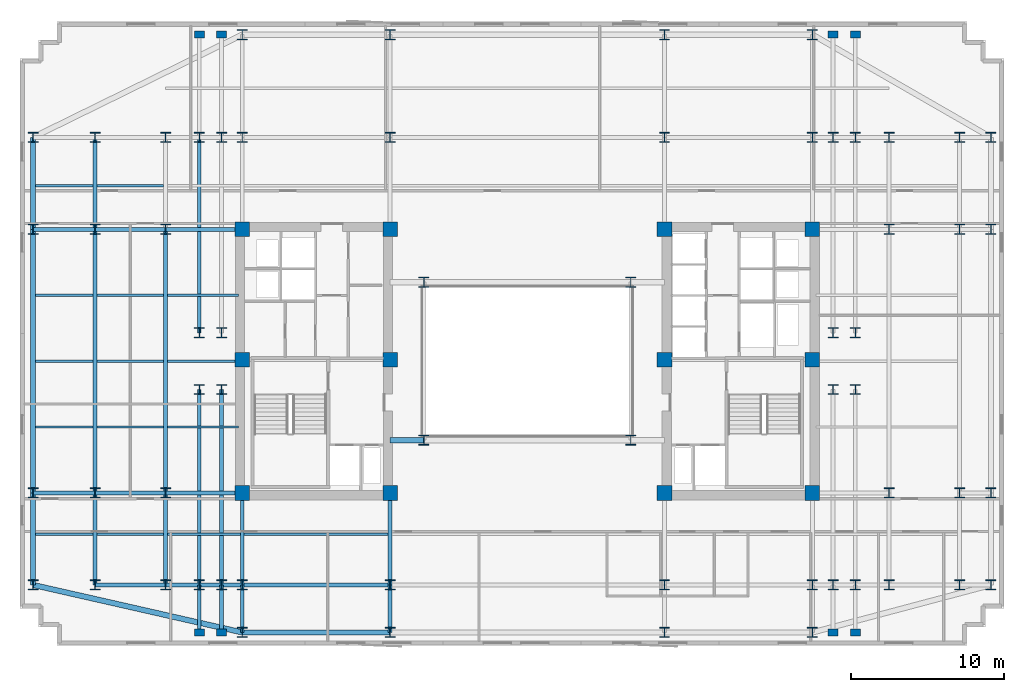
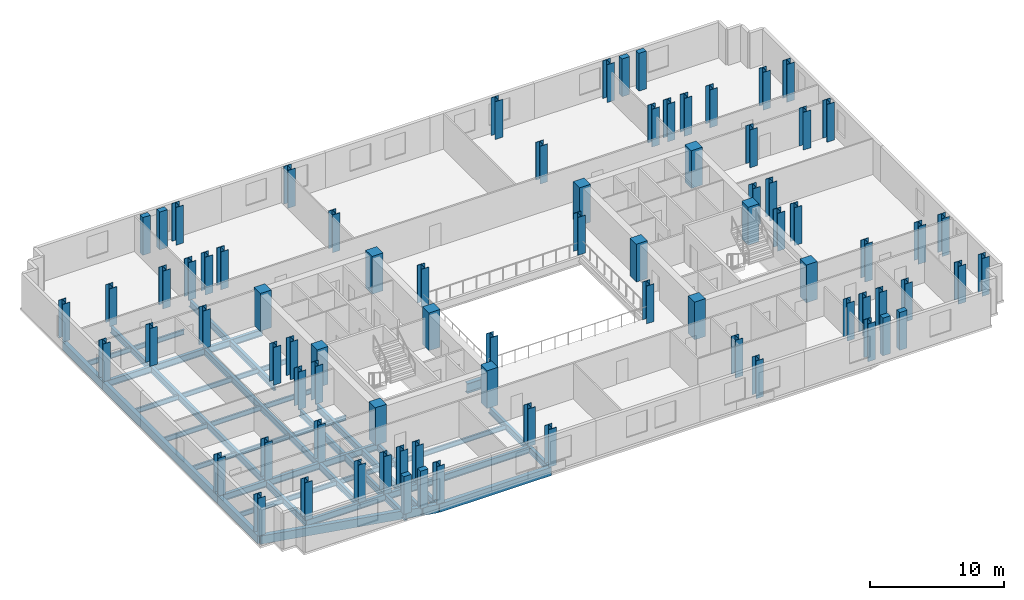
# One storey, part 1 of 9: 80 columns, 44 beams.
"""IFC4 building model written with IfcOpenShell, lengths in metres."""

from ifc_helpers import new_model, si_unit, direction, frame, origin, origin_2d, place, context, subcontext, project, spatial, rectangle, i_section, extrude, material, material_profile, profile_set, type_object, element, save


model = new_model("IFC4")

# Units and contexts
model_context = context("Model", 3, precision=1e-05, world=origin(), true_north=direction((0.0, 1.0)))
body_context = subcontext(model_context, "Body", "Model", "MODEL_VIEW")
ifc_project = project(units=[si_unit("LENGTHUNIT", "METRE"), si_unit("AREAUNIT", "SQUARE_METRE"), si_unit("VOLUMEUNIT", "CUBIC_METRE"), si_unit("PLANEANGLEUNIT", "RADIAN"), si_unit("MASSUNIT", "GRAM", prefix="KILO")], contexts=[model_context])

# Site, building, storey
site_placement = place(None, origin())
site = spatial("IfcSite", under=ifc_project, at=site_placement, CompositionType="ELEMENT")
building_placement = place(site_placement, origin())
building = spatial("IfcBuilding", under=site, at=building_placement, Name="Velakula Bourse", CompositionType="ELEMENT")
storey_placement = place(building_placement, frame((0.0, 0.0, 138.10009765625)))
storey = spatial("IfcBuildingStorey", under=building, at=storey_placement, Name="L37", CompositionType="ELEMENT", Elevation=138.10009765625)

# Columns
ifc_material_1 = material(Name="Concrete M70 (fck 70 MPa)", Category="concrete")
ifc_material_profile_1 = material_profile(ifc_material_1, rectangle(XDim=0.949951171875, YDim=0.949951171875, at=origin_2d()), Name="Concrete M70 (fck 70 MPa)")
ifc_profile_set_1 = profile_set([ifc_material_profile_1], Name="Concrete M70 (fck 70 MPa)")
column_type_1 = type_object("IfcColumnType", Name="COL-RC-950", PredefinedType="COLUMN", material=ifc_profile_set_1)
for number, where, z_axis, x_axis, name in (
    (1, (-8.949951171875, -8.60009765625, 0.0), (0.0, 0.0, 1.0), (1.0, 0.0, 0.0), "L37 Core Boundary Column 01"),
    (2, (-8.949951171875, 0.10009765625, 0.0), (0.0, 0.0, 1.0), (1.0, 0.0, 0.0), "L37 Core Boundary Column 02"),
    (3, (-8.949951171875, 8.60009765625, 0.0), (0.0, 0.0, 1.0), (1.0, 0.0, 0.0), "L37 Core Boundary Column 03"),
    (4, (-18.60009765625, -8.60009765625, 0.0), (0.0, 0.0, 1.0), (1.0, 0.0, 0.0), "L37 Core Boundary Column 04"),
    (5, (-18.60009765625, 0.10009765625, 0.0), (0.0, 0.0, 1.0), (1.0, 0.0, 0.0), "L37 Core Boundary Column 05"),
    (6, (-18.60009765625, 8.60009765625, 0.0), (0.0, 0.0, 1.0), (1.0, 0.0, 0.0), "L37 Core Boundary Column 06"),
    (7, (8.949951171875, -8.60009765625, 0.0), (0.0, 0.0, 1.0), (1.0, 0.0, 0.0), "L37 Core Boundary Column 07"),
    (8, (8.949951171875, 0.10009765625, 0.0), (0.0, 0.0, 1.0), (1.0, 0.0, 0.0), "L37 Core Boundary Column 08"),
    (9, (8.949951171875, 8.60009765625, 0.0), (0.0, 0.0, 1.0), (1.0, 0.0, 0.0), "L37 Core Boundary Column 09"),
    (10, (18.60009765625, -8.60009765625, 0.0), (0.0, 0.0, 1.0), (1.0, 0.0, 0.0), "L37 Core Boundary Column 10"),
    (11, (18.60009765625, 0.10009765625, 0.0), (0.0, 0.0, 1.0), (1.0, 0.0, 0.0), "L37 Core Boundary Column 11"),
    (12, (18.60009765625, 8.60009765625, 0.0), (0.0, 0.0, 1.0), (1.0, 0.0, 0.0), "L37 Core Boundary Column 12"),
):
    element("IfcColumn", number, at=place(storey_placement, frame(where, z_axis=z_axis, x_axis=x_axis)), inside=storey, type_object=column_type_1, Name=name, PredefinedType="COLUMN", context=body_context, shape_type="SweptSolid", body=[
        extrude(rectangle(XDim=0.949951171875, YDim=0.949951171875, at=origin_2d()), origin(), (0.0, 0.0, 1.0), 3.449951171875),
    ])
ifc_material_2 = material(Name="Steel IS 2062 Grade 350 (E350)", Category="steel")
ifc_material_profile_2 = material_profile(ifc_material_2, i_section(OverallWidth=0.64990234375, OverallDepth=0.64990234375, WebThickness=0.028076171875, FlangeThickness=0.0400390625, at=origin_2d()), Name="Steel IS 2062 Grade 350 (E350)")
ifc_profile_set_2 = profile_set([ifc_material_profile_2], Name="Steel IS 2062 Grade 350 (E350)")
column_type_2 = type_object("IfcColumnType", Name="COL-STL-650", PredefinedType="COLUMN", material=ifc_profile_set_2)
for number, where, z_axis, x_axis, name in (
    (13, (-6.75, -5.14990234375, 0.0), (0.0, 0.0, 1.0), (1.0, 0.0, 0.0), "L37 Central Spine Column 01"),
    (14, (-6.75, 5.14990234375, 0.0), (0.0, 0.0, 1.0), (1.0, 0.0, 0.0), "L37 Central Spine Column 02"),
    (15, (6.75, -5.14990234375, 0.0), (0.0, 0.0, 1.0), (1.0, 0.0, 0.0), "L37 Central Spine Column 03"),
    (16, (6.75, 5.14990234375, 0.0), (0.0, 0.0, 1.0), (1.0, 0.0, 0.0), "L37 Central Spine Column 04"),
    (17, (-21.39990234375, -14.60009765625, 0.0), (0.0, 0.0, 1.0), (1.0, 0.0, 0.0), "L37 Tower Fulcrum Column 01"),
    (18, (-21.39990234375, 14.60009765625, 0.0), (0.0, 0.0, 1.0), (1.0, 0.0, 0.0), "L37 Tower Fulcrum Column 02"),
    (19, (-19.949951171875, -14.60009765625, 0.0), (0.0, 0.0, 1.0), (1.0, 0.0, 0.0), "L37 Tower Fulcrum Column 03"),
    (20, (-19.949951171875, 14.60009765625, 0.0), (0.0, 0.0, 1.0), (1.0, 0.0, 0.0), "L37 Tower Fulcrum Column 04"),
    (21, (-18.60009765625, -14.60009765625, 0.0), (0.0, 0.0, 1.0), (1.0, 0.0, 0.0), "L37 Tower Fulcrum Column 05"),
    (22, (-18.60009765625, 14.60009765625, 0.0), (0.0, 0.0, 1.0), (1.0, 0.0, 0.0), "L37 Tower Fulcrum Column 06"),
    (23, (-8.949951171875, -14.60009765625, 0.0), (0.0, 0.0, 1.0), (1.0, 0.0, 0.0), "L37 Tower Fulcrum Column 07"),
    (24, (-8.949951171875, 14.60009765625, 0.0), (0.0, 0.0, 1.0), (1.0, 0.0, 0.0), "L37 Tower Fulcrum Column 08"),
    (25, (8.949951171875, -14.60009765625, 0.0), (0.0, 0.0, 1.0), (1.0, 0.0, 0.0), "L37 Tower Fulcrum Column 09"),
    (26, (8.949951171875, 14.60009765625, 0.0), (0.0, 0.0, 1.0), (1.0, 0.0, 0.0), "L37 Tower Fulcrum Column 10"),
    (27, (18.60009765625, -14.60009765625, 0.0), (0.0, 0.0, 1.0), (1.0, 0.0, 0.0), "L37 Tower Fulcrum Column 11"),
    (28, (18.60009765625, 14.60009765625, 0.0), (0.0, 0.0, 1.0), (1.0, 0.0, 0.0), "L37 Tower Fulcrum Column 12"),
    (29, (19.949951171875, -14.60009765625, 0.0), (0.0, 0.0, 1.0), (1.0, 0.0, 0.0), "L37 Tower Fulcrum Column 13"),
    (30, (19.949951171875, 14.60009765625, 0.0), (0.0, 0.0, 1.0), (1.0, 0.0, 0.0), "L37 Tower Fulcrum Column 14"),
    (31, (21.39990234375, -14.60009765625, 0.0), (0.0, 0.0, 1.0), (1.0, 0.0, 0.0), "L37 Tower Fulcrum Column 15"),
    (32, (21.39990234375, 14.60009765625, 0.0), (0.0, 0.0, 1.0), (1.0, 0.0, 0.0), "L37 Tower Fulcrum Column 16"),
    (33, (-21.39990234375, -1.85009765625, 0.0), (0.0, 0.0, 1.0), (1.0, 0.0, 0.0), "L37 Tower Fulcrum Column 17"),
    (34, (-21.39990234375, 1.85009765625, 0.0), (0.0, 0.0, 1.0), (1.0, 0.0, 0.0), "L37 Tower Fulcrum Column 18"),
    (35, (-19.949951171875, -1.85009765625, 0.0), (0.0, 0.0, 1.0), (1.0, 0.0, 0.0), "L37 Tower Fulcrum Column 19"),
    (36, (-19.949951171875, 1.85009765625, 0.0), (0.0, 0.0, 1.0), (1.0, 0.0, 0.0), "L37 Tower Fulcrum Column 20"),
    (37, (19.949951171875, -1.85009765625, 0.0), (0.0, 0.0, 1.0), (1.0, 0.0, 0.0), "L37 Tower Fulcrum Column 21"),
    (38, (19.949951171875, 1.85009765625, 0.0), (0.0, 0.0, 1.0), (1.0, 0.0, 0.0), "L37 Tower Fulcrum Column 22"),
    (39, (21.39990234375, -1.85009765625, 0.0), (0.0, 0.0, 1.0), (1.0, 0.0, 0.0), "L37 Tower Fulcrum Column 23"),
    (40, (21.39990234375, 1.85009765625, 0.0), (0.0, 0.0, 1.0), (1.0, 0.0, 0.0), "L37 Tower Fulcrum Column 24"),
    (41, (-23.60009765625, -14.60009765625, 0.0), (0.0, 0.0, 1.0), (1.0, 0.0, 0.0), "L37 Mid-Wing Plumb Column 01"),
    (42, (-23.60009765625, -8.60009765625, 0.0), (0.0, 0.0, 1.0), (1.0, 0.0, 0.0), "L37 Mid-Wing Plumb Column 02"),
    (43, (-23.60009765625, 8.60009765625, 0.0), (0.0, 0.0, 1.0), (1.0, 0.0, 0.0), "L37 Mid-Wing Plumb Column 03"),
    (44, (-23.60009765625, 14.60009765625, 0.0), (0.0, 0.0, 1.0), (1.0, 0.0, 0.0), "L37 Mid-Wing Plumb Column 04"),
    (45, (23.60009765625, -14.60009765625, 0.0), (0.0, 0.0, 1.0), (1.0, 0.0, 0.0), "L37 Mid-Wing Plumb Column 05"),
    (46, (23.60009765625, -8.60009765625, 0.0), (0.0, 0.0, 1.0), (1.0, 0.0, 0.0), "L37 Mid-Wing Plumb Column 06"),
    (47, (23.60009765625, 8.60009765625, 0.0), (0.0, 0.0, 1.0), (1.0, 0.0, 0.0), "L37 Mid-Wing Plumb Column 07"),
    (48, (23.60009765625, 14.60009765625, 0.0), (0.0, 0.0, 1.0), (1.0, 0.0, 0.0), "L37 Mid-Wing Plumb Column 08"),
    (49, (-28.199951171875, -14.60009765625, 0.0), (0.0, 0.0, 1.0), (1.0, 0.0, 0.0), "L37 Lower Wing Column 01"),
    (50, (-28.199951171875, -8.60009765625, 0.0), (0.0, 0.0, 1.0), (1.0, 0.0, 0.0), "L37 Lower Wing Column 02"),
    (51, (-28.199951171875, 8.60009765625, 0.0), (0.0, 0.0, 1.0), (1.0, 0.0, 0.0), "L37 Lower Wing Column 03"),
    (52, (-28.199951171875, 14.60009765625, 0.0), (0.0, 0.0, 1.0), (1.0, 0.0, 0.0), "L37 Lower Wing Column 04"),
    (53, (28.199951171875, -14.60009765625, 0.0), (0.0, 0.0, 1.0), (1.0, 0.0, 0.0), "L37 Lower Wing Column 05"),
    (54, (28.199951171875, -8.60009765625, 0.0), (0.0, 0.0, 1.0), (1.0, 0.0, 0.0), "L37 Lower Wing Column 06"),
    (55, (28.199951171875, 8.60009765625, 0.0), (0.0, 0.0, 1.0), (1.0, 0.0, 0.0), "L37 Lower Wing Column 07"),
    (56, (28.199951171875, 14.60009765625, 0.0), (0.0, 0.0, 1.0), (1.0, 0.0, 0.0), "L37 Lower Wing Column 08"),
    (57, (-18.60009765625, -17.699951171875, 0.0), (0.0, 0.0, 1.0), (1.0, 0.0, 0.0), "L37 Block B3 Perimeter Column S1"),
    (58, (-8.949951171875, -17.699951171875, 0.0), (0.0, 0.0, 1.0), (1.0, 0.0, 0.0), "L37 Block B3 Perimeter Column S2"),
    (59, (8.949951171875, -17.699951171875, 0.0), (0.0, 0.0, 1.0), (1.0, 0.0, 0.0), "L37 Block B3 Perimeter Column S3"),
    (60, (18.60009765625, -17.699951171875, 0.0), (0.0, 0.0, 1.0), (1.0, 0.0, 0.0), "L37 Block B3 Perimeter Column S4"),
    (61, (-18.60009765625, 21.300048828125, 0.0), (0.0, 0.0, 1.0), (1.0, 0.0, 0.0), "L37 Block B3 Perimeter Column N1"),
    (62, (-8.949951171875, 21.300048828125, 0.0), (0.0, 0.0, 1.0), (1.0, 0.0, 0.0), "L37 Block B3 Perimeter Column N2"),
    (63, (8.949951171875, 21.300048828125, 0.0), (0.0, 0.0, 1.0), (1.0, 0.0, 0.0), "L37 Block B3 Perimeter Column N3"),
    (64, (18.60009765625, 21.300048828125, 0.0), (0.0, 0.0, 1.0), (1.0, 0.0, 0.0), "L37 Block B3 Perimeter Column N4"),
    (65, (-32.25, -14.60009765625, 0.0), (0.0, 0.0, 1.0), (1.0, 0.0, 0.0), "L37 Block B3 Perimeter Column W1"),
    (66, (-32.25, -8.60009765625, 0.0), (0.0, 0.0, 1.0), (1.0, 0.0, 0.0), "L37 Block B3 Perimeter Column W2"),
    (67, (-32.25, 8.60009765625, 0.0), (0.0, 0.0, 1.0), (1.0, 0.0, 0.0), "L37 Block B3 Perimeter Column W3"),
    (68, (-32.25, 14.60009765625, 0.0), (0.0, 0.0, 1.0), (1.0, 0.0, 0.0), "L37 Block B3 Perimeter Column W4"),
    (69, (30.25, -14.60009765625, 0.0), (0.0, 0.0, 1.0), (1.0, 0.0, 0.0), "L37 Block B3 Perimeter Column E1"),
    (70, (30.25, -8.60009765625, 0.0), (0.0, 0.0, 1.0), (1.0, 0.0, 0.0), "L37 Block B3 Perimeter Column E2"),
    (71, (30.25, 8.60009765625, 0.0), (0.0, 0.0, 1.0), (1.0, 0.0, 0.0), "L37 Block B3 Perimeter Column E3"),
    (72, (30.25, 14.60009765625, 0.0), (0.0, 0.0, 1.0), (1.0, 0.0, 0.0), "L37 Block B3 Perimeter Column E4"),
):
    element("IfcColumn", number, at=place(storey_placement, frame(where, z_axis=z_axis, x_axis=x_axis)), inside=storey, type_object=column_type_2, Name=name, PredefinedType="COLUMN", context=body_context, shape_type="SweptSolid", body=[
        extrude(i_section(OverallWidth=0.64990234375, OverallDepth=0.64990234375, WebThickness=0.028076171875, FlangeThickness=0.0400390625, at=origin_2d()), origin(), (0.0, 0.0, 1.0), 3.449951171875),
    ])
ifc_material_3 = material(Name="Precast concrete M45 (fck 45 MPa)", Category="concrete")
ifc_material_profile_3 = material_profile(ifc_material_3, rectangle(XDim=0.64990234375, YDim=0.449951171875, at=origin_2d()), Name="Precast concrete M45 (fck 45 MPa)")
ifc_profile_set_3 = profile_set([ifc_material_profile_3], Name="Precast concrete M45 (fck 45 MPa)")
column_type_3 = type_object("IfcColumnType", Name="PIL-BRICK-650", PredefinedType="PILASTER", material=ifc_profile_set_3)
for number, where, z_axis, x_axis, name in (
    (73, (-21.39990234375, -17.699951171875, 0.0), (0.0, 0.0, 1.0), (1.0, 0.0, 0.0), "L37 Brick Pier Pilaster 01"),
    (74, (-19.949951171875, -17.699951171875, 0.0), (0.0, 0.0, 1.0), (1.0, 0.0, 0.0), "L37 Brick Pier Pilaster 02"),
    (75, (19.949951171875, -17.699951171875, 0.0), (0.0, 0.0, 1.0), (1.0, 0.0, 0.0), "L37 Brick Pier Pilaster 03"),
    (76, (21.39990234375, -17.699951171875, 0.0), (0.0, 0.0, 1.0), (1.0, 0.0, 0.0), "L37 Brick Pier Pilaster 04"),
    (77, (-21.39990234375, 21.300048828125, 0.0), (0.0, 0.0, 1.0), (1.0, 0.0, 0.0), "L37 Brick Pier Pilaster 05"),
    (78, (-19.949951171875, 21.300048828125, 0.0), (0.0, 0.0, 1.0), (1.0, 0.0, 0.0), "L37 Brick Pier Pilaster 06"),
    (79, (19.949951171875, 21.300048828125, 0.0), (0.0, 0.0, 1.0), (1.0, 0.0, 0.0), "L37 Brick Pier Pilaster 07"),
    (80, (21.39990234375, 21.300048828125, 0.0), (0.0, 0.0, 1.0), (1.0, 0.0, 0.0), "L37 Brick Pier Pilaster 08"),
):
    element("IfcColumn", number, at=place(storey_placement, frame(where, z_axis=z_axis, x_axis=x_axis)), inside=storey, type_object=column_type_3, Name=name, PredefinedType="PILASTER", context=body_context, shape_type="SweptSolid", body=[
        extrude(rectangle(XDim=0.64990234375, YDim=0.449951171875, at=origin_2d()), origin(), (0.0, 0.0, 1.0), 3.449951171875),
    ])

# Beams
ifc_material_profile_4 = material_profile(ifc_material_2, i_section(OverallWidth=0.25, OverallDepth=0.60009765625, WebThickness=0.01123046875, FlangeThickness=0.021240234375, at=origin_2d()), Name="Steel IS 2062 Grade 350 (E350)")
ifc_profile_set_4 = profile_set([ifc_material_profile_4], Name="Steel IS 2062 Grade 350 (E350)")
beam_type_1 = type_object("IfcBeamType", Name="BM-GRD-600M", PredefinedType="BEAM", material=ifc_profile_set_4)
for number, where, z_axis, x_axis, name in (
    (81, (-18.60009765625, -14.60009765625, -0.47998046875), (0.0, 1.0, 0.0), (-1.0, 0.0, 0.0), "L37 Fulcrum Grid Girder FLC-WS"),
    (82, (-8.949951171875, -14.60009765625, -0.47998046875), (0.0, 1.0, 0.0), (-1.0, 0.0, 0.0), "L37 Fulcrum Grid Girder FLC-WCS"),
):
    element("IfcBeam", number, at=place(storey_placement, frame(where, z_axis=z_axis, x_axis=x_axis)), inside=storey, type_object=beam_type_1, Name=name, PredefinedType="BEAM", context=body_context, shape_type="SweptSolid", body=[
        extrude(i_section(OverallWidth=0.25, OverallDepth=0.60009765625, WebThickness=0.01123046875, FlangeThickness=0.021240234375, at=origin_2d()), origin(), (0.0, 0.0, 1.0), 6.0),
    ])
beam_1_placement = place(storey_placement, frame((-18.60009765625, -14.60009765625, -0.47998046875), z_axis=(1.0, 0.0, 0.0), x_axis=(0.0, 1.0, 0.0)))
element("IfcBeam", 83, at=beam_1_placement, inside=storey, type_object=beam_type_1, Name="L37 Fulcrum Grid Girder FLC-S1", PredefinedType="BEAM", context=body_context, shape_type="SweptSolid", body=[
    extrude(i_section(OverallWidth=0.25, OverallDepth=0.60009765625, WebThickness=0.01123046875, FlangeThickness=0.021240234375, at=origin_2d()), origin(), (0.0, 0.0, 1.0), 9.650146484375),
])
for number, where, z_axis, x_axis, name in (
    (84, (-21.39990234375, -14.60009765625, -0.47998046875), (0.0, 1.0, 0.0), (-1.0, 0.0, 0.0), "L37 Fulcrum Grid Girder FLC-PSW1"),
    (85, (-21.39990234375, 1.85009765625, -0.47998046875), (0.0, 1.0, 0.0), (-1.0, 0.0, 0.0), "L37 Fulcrum Grid Girder FLC-PNW1"),
    (86, (-19.949951171875, -14.60009765625, -0.47998046875), (0.0, 1.0, 0.0), (-1.0, 0.0, 0.0), "L37 Fulcrum Grid Girder FLC-PSW2"),
):
    element("IfcBeam", number, at=place(storey_placement, frame(where, z_axis=z_axis, x_axis=x_axis)), inside=storey, type_object=beam_type_1, Name=name, PredefinedType="BEAM", context=body_context, shape_type="SweptSolid", body=[
        extrude(i_section(OverallWidth=0.25, OverallDepth=0.60009765625, WebThickness=0.01123046875, FlangeThickness=0.021240234375, at=origin_2d()), origin(), (0.0, 0.0, 1.0), 12.75),
    ])
for number, where, z_axis, x_axis, name in (
    (87, (-23.60009765625, -14.60009765625, -0.47998046875), (1.0, 0.0, 0.0), (0.0, 1.0, 0.0), "L37 Fulcrum Grid Girder MWG-WS1"),
    (88, (-23.60009765625, -8.60009765625, -0.47998046875), (1.0, 0.0, 0.0), (0.0, 1.0, 0.0), "L37 Fulcrum Grid Girder MWG-WS2"),
    (89, (-23.60009765625, 8.60009765625, -0.47998046875), (1.0, 0.0, 0.0), (0.0, 1.0, 0.0), "L37 Fulcrum Grid Girder MWG-WN1"),
):
    element("IfcBeam", number, at=place(storey_placement, frame(where, z_axis=z_axis, x_axis=x_axis)), inside=storey, type_object=beam_type_1, Name=name, PredefinedType="BEAM", context=body_context, shape_type="SweptSolid", body=[
        extrude(i_section(OverallWidth=0.25, OverallDepth=0.60009765625, WebThickness=0.01123046875, FlangeThickness=0.021240234375, at=origin_2d()), origin(), (0.0, 0.0, 1.0), 5.0),
    ])
beam_2_placement = place(storey_placement, frame((-23.60009765625, -14.60009765625, -0.47998046875), z_axis=(0.0, 1.0, 0.0), x_axis=(-1.0, 0.0, 0.0)))
element("IfcBeam", 90, at=beam_2_placement, inside=storey, type_object=beam_type_1, Name="L37 Fulcrum Grid Girder MWG-WNS1", PredefinedType="BEAM", context=body_context, shape_type="SweptSolid", body=[
    extrude(i_section(OverallWidth=0.25, OverallDepth=0.60009765625, WebThickness=0.01123046875, FlangeThickness=0.021240234375, at=origin_2d()), origin(), (0.0, 0.0, 1.0), 6.0),
])
beam_3_placement = place(storey_placement, frame((-23.60009765625, -8.60009765625, -0.47998046875), z_axis=(0.0, 1.0, 0.0), x_axis=(-1.0, 0.0, 0.0)))
element("IfcBeam", 91, at=beam_3_placement, inside=storey, type_object=beam_type_1, Name="L37 Fulcrum Grid Girder MWG-WNS2", PredefinedType="BEAM", context=body_context, shape_type="SweptSolid", body=[
    extrude(i_section(OverallWidth=0.25, OverallDepth=0.60009765625, WebThickness=0.01123046875, FlangeThickness=0.021240234375, at=origin_2d()), origin(), (0.0, 0.0, 1.0), 17.2001953125),
])
for number, where, z_axis, x_axis, name in (
    (92, (-28.199951171875, -14.60009765625, -0.47998046875), (1.0, 0.0, 0.0), (0.0, 1.0, 0.0), "L37 Fulcrum Grid Girder WNG-WS1"),
    (93, (-28.199951171875, -8.60009765625, -0.47998046875), (1.0, 0.0, 0.0), (0.0, 1.0, 0.0), "L37 Fulcrum Grid Girder WNG-WS2"),
    (94, (-28.199951171875, 8.60009765625, -0.47998046875), (1.0, 0.0, 0.0), (0.0, 1.0, 0.0), "L37 Fulcrum Grid Girder WNG-WN1"),
):
    element("IfcBeam", number, at=place(storey_placement, frame(where, z_axis=z_axis, x_axis=x_axis)), inside=storey, type_object=beam_type_1, Name=name, PredefinedType="BEAM", context=body_context, shape_type="SweptSolid", body=[
        extrude(i_section(OverallWidth=0.25, OverallDepth=0.60009765625, WebThickness=0.01123046875, FlangeThickness=0.021240234375, at=origin_2d()), origin(), (0.0, 0.0, 1.0), 4.599853515625),
    ])
beam_4_placement = place(storey_placement, frame((-28.199951171875, -14.60009765625, -0.47998046875), z_axis=(0.0, 1.0, 0.0), x_axis=(-1.0, 0.0, 0.0)))
element("IfcBeam", 95, at=beam_4_placement, inside=storey, type_object=beam_type_1, Name="L37 Fulcrum Grid Girder WNG-WNS1", PredefinedType="BEAM", context=body_context, shape_type="SweptSolid", body=[
    extrude(i_section(OverallWidth=0.25, OverallDepth=0.60009765625, WebThickness=0.01123046875, FlangeThickness=0.021240234375, at=origin_2d()), origin(), (0.0, 0.0, 1.0), 6.0),
])
beam_5_placement = place(storey_placement, frame((-28.199951171875, -8.60009765625, -0.47998046875), z_axis=(0.0, 1.0, 0.0), x_axis=(-1.0, 0.0, 0.0)))
element("IfcBeam", 96, at=beam_5_placement, inside=storey, type_object=beam_type_1, Name="L37 Fulcrum Grid Girder WNG-WNS2", PredefinedType="BEAM", context=body_context, shape_type="SweptSolid", body=[
    extrude(i_section(OverallWidth=0.25, OverallDepth=0.60009765625, WebThickness=0.01123046875, FlangeThickness=0.021240234375, at=origin_2d()), origin(), (0.0, 0.0, 1.0), 17.2001953125),
])
beam_6_placement = place(storey_placement, frame((-28.199951171875, 8.60009765625, -0.47998046875), z_axis=(0.0, 1.0, 0.0), x_axis=(-1.0, 0.0, 0.0)))
element("IfcBeam", 97, at=beam_6_placement, inside=storey, type_object=beam_type_1, Name="L37 Fulcrum Grid Girder WNG-WNS3", PredefinedType="BEAM", context=body_context, shape_type="SweptSolid", body=[
    extrude(i_section(OverallWidth=0.25, OverallDepth=0.60009765625, WebThickness=0.01123046875, FlangeThickness=0.021240234375, at=origin_2d()), origin(), (0.0, 0.0, 1.0), 6.0),
])
for number, where, z_axis, x_axis, name in (
    (98, (-18.60009765625, -14.60009765625, -0.47998046875), (0.0, -1.0, 0.0), (1.0, 0.0, 0.0), "L37 Perimeter Tie Girder S1"),
    (99, (-8.949951171875, -14.60009765625, -0.47998046875), (0.0, -1.0, 0.0), (1.0, 0.0, 0.0), "L37 Perimeter Tie Girder S2"),
):
    element("IfcBeam", number, at=place(storey_placement, frame(where, z_axis=z_axis, x_axis=x_axis)), inside=storey, type_object=beam_type_1, Name=name, PredefinedType="BEAM", context=body_context, shape_type="SweptSolid", body=[
        extrude(i_section(OverallWidth=0.25, OverallDepth=0.60009765625, WebThickness=0.01123046875, FlangeThickness=0.021240234375, at=origin_2d()), origin(), (0.0, 0.0, 1.0), 3.099853515625),
    ])
for number, where, z_axis, x_axis, name in (
    (100, (-28.199951171875, -8.60009765625, -0.47998046875), (-1.0, 0.0, 0.0), (0.0, -1.0, 0.0), "L37 Perimeter Tie Girder W2"),
    (101, (-28.199951171875, 8.60009765625, -0.47998046875), (-1.0, 0.0, 0.0), (0.0, -1.0, 0.0), "L37 Perimeter Tie Girder W3"),
):
    element("IfcBeam", number, at=place(storey_placement, frame(where, z_axis=z_axis, x_axis=x_axis)), inside=storey, type_object=beam_type_1, Name=name, PredefinedType="BEAM", context=body_context, shape_type="SweptSolid", body=[
        extrude(i_section(OverallWidth=0.25, OverallDepth=0.60009765625, WebThickness=0.01123046875, FlangeThickness=0.021240234375, at=origin_2d()), origin(), (0.0, 0.0, 1.0), 4.050048828125),
    ])
for number, where, z_axis, x_axis, name in (
    (102, (-21.39990234375, -14.60009765625, -0.47998046875), (0.0, -1.0, 0.0), (1.0, 0.0, 0.0), "L37 Perimeter Tie Girder P01"),
    (103, (-19.949951171875, -14.60009765625, -0.47998046875), (0.0, -1.0, 0.0), (1.0, 0.0, 0.0), "L37 Perimeter Tie Girder P02"),
):
    element("IfcBeam", number, at=place(storey_placement, frame(where, z_axis=z_axis, x_axis=x_axis)), inside=storey, type_object=beam_type_1, Name=name, PredefinedType="BEAM", context=body_context, shape_type="SweptSolid", body=[
        extrude(i_section(OverallWidth=0.25, OverallDepth=0.60009765625, WebThickness=0.01123046875, FlangeThickness=0.021240234375, at=origin_2d()), origin(), (0.0, 0.0, 1.0), 3.099853515625),
    ])
ifc_material_profile_5 = material_profile(ifc_material_2, i_section(OverallWidth=0.35009765625, OverallDepth=0.89990234375, WebThickness=0.02001953125, FlangeThickness=0.031982421875, at=origin_2d()), Name="Steel IS 2062 Grade 350 (E350)")
ifc_profile_set_5 = profile_set([ifc_material_profile_5], Name="Steel IS 2062 Grade 350 (E350)")
beam_type_2 = type_object("IfcBeamType", Name="BM-LNK-900", PredefinedType="BEAM", material=ifc_profile_set_5)
beam_7_placement = place(storey_placement, frame((-8.949951171875, -5.14990234375, -0.630126953125), z_axis=(1.0, 0.0, 0.0), x_axis=(0.0, 1.0, 0.0)))
element("IfcBeam", 104, at=beam_7_placement, inside=storey, type_object=beam_type_2, Name="L37 Primary Backbone Girder LNK-S1", PredefinedType="BEAM", context=body_context, shape_type="SweptSolid", body=[
    extrude(i_section(OverallWidth=0.35009765625, OverallDepth=0.89990234375, WebThickness=0.02001953125, FlangeThickness=0.031982421875, at=origin_2d()), origin(), (0.0, 0.0, 1.0), 2.199951171875),
])
ifc_material_profile_6 = material_profile(ifc_material_2, i_section(OverallWidth=0.14990234375, OverallDepth=0.449951171875, WebThickness=0.009521484375, FlangeThickness=0.017333984375, at=origin_2d()), Name="Steel IS 2062 Grade 350 (E350)")
ifc_profile_set_6 = profile_set([ifc_material_profile_6], Name="Steel IS 2062 Grade 350 (E350)")
beam_type_3 = type_object("IfcBeamType", Name="JST-TWR-450", PredefinedType="JOIST", material=ifc_profile_set_6)
beam_8_placement = place(storey_placement, frame((-32.074951171875, -11.300048828125, -0.405029296875), z_axis=(1.0, 0.0, 0.0), x_axis=(0.0, 1.0, 0.0)))
element("IfcBeam", 105, at=beam_8_placement, inside=storey, type_object=beam_type_3, Name="L37 Trading Floor Composite Joist 01", PredefinedType="JOIST", context=body_context, shape_type="SweptSolid", body=[
    extrude(i_section(OverallWidth=0.14990234375, OverallDepth=0.449951171875, WebThickness=0.009521484375, FlangeThickness=0.017333984375, at=origin_2d()), origin(), (0.0, 0.0, 1.0), 3.75),
])
beam_9_placement = place(storey_placement, frame((-28.074951171875, -11.300048828125, -0.405029296875), z_axis=(1.0, 0.0, 0.0), x_axis=(0.0, 1.0, 0.0)))
element("IfcBeam", 106, at=beam_9_placement, inside=storey, type_object=beam_type_3, Name="L37 Trading Floor Composite Joist 02", PredefinedType="JOIST", context=body_context, shape_type="SweptSolid", body=[
    extrude(i_section(OverallWidth=0.14990234375, OverallDepth=0.449951171875, WebThickness=0.009521484375, FlangeThickness=0.017333984375, at=origin_2d()), origin(), (0.0, 0.0, 1.0), 4.349853515625),
])
beam_10_placement = place(storey_placement, frame((-23.47509765625, -11.300048828125, -0.405029296875), z_axis=(1.0, 0.0, 0.0), x_axis=(0.0, 1.0, 0.0)))
element("IfcBeam", 107, at=beam_10_placement, inside=storey, type_object=beam_type_3, Name="L37 Trading Floor Composite Joist 03", PredefinedType="JOIST", context=body_context, shape_type="SweptSolid", body=[
    extrude(i_section(OverallWidth=0.14990234375, OverallDepth=0.449951171875, WebThickness=0.009521484375, FlangeThickness=0.017333984375, at=origin_2d()), origin(), (0.0, 0.0, 1.0), 4.75),
])
beam_11_placement = place(storey_placement, frame((-18.47509765625, -11.300048828125, -0.405029296875), z_axis=(1.0, 0.0, 0.0), x_axis=(0.0, 1.0, 0.0)))
element("IfcBeam", 108, at=beam_11_placement, inside=storey, type_object=beam_type_3, Name="L37 Trading Floor Composite Joist 04", PredefinedType="JOIST", context=body_context, shape_type="SweptSolid", body=[
    extrude(i_section(OverallWidth=0.14990234375, OverallDepth=0.449951171875, WebThickness=0.009521484375, FlangeThickness=0.017333984375, at=origin_2d()), origin(), (0.0, 0.0, 1.0), 9.400146484375),
])
beam_12_placement = place(storey_placement, frame((-32.074951171875, 11.449951171875, -0.405029296875), z_axis=(1.0, 0.0, 0.0), x_axis=(0.0, 1.0, 0.0)))
element("IfcBeam", 109, at=beam_12_placement, inside=storey, type_object=beam_type_3, Name="L37 Trading Floor Composite Joist 09", PredefinedType="JOIST", context=body_context, shape_type="SweptSolid", body=[
    extrude(i_section(OverallWidth=0.14990234375, OverallDepth=0.449951171875, WebThickness=0.009521484375, FlangeThickness=0.017333984375, at=origin_2d()), origin(), (0.0, 0.0, 1.0), 3.75),
])
beam_13_placement = place(storey_placement, frame((-28.074951171875, 11.449951171875, -0.405029296875), z_axis=(1.0, 0.0, 0.0), x_axis=(0.0, 1.0, 0.0)))
element("IfcBeam", 110, at=beam_13_placement, inside=storey, type_object=beam_type_3, Name="L37 Trading Floor Composite Joist 10", PredefinedType="JOIST", context=body_context, shape_type="SweptSolid", body=[
    extrude(i_section(OverallWidth=0.14990234375, OverallDepth=0.449951171875, WebThickness=0.009521484375, FlangeThickness=0.017333984375, at=origin_2d()), origin(), (0.0, 0.0, 1.0), 4.349853515625),
])
beam_14_placement = place(storey_placement, frame((-32.074951171875, -4.300048828125, -0.405029296875), z_axis=(1.0, 0.0, 0.0), x_axis=(0.0, 1.0, 0.0)))
element("IfcBeam", 111, at=beam_14_placement, inside=storey, type_object=beam_type_3, Name="L37 Trading Floor Composite Joist 25", PredefinedType="JOIST", context=body_context, shape_type="SweptSolid", body=[
    extrude(i_section(OverallWidth=0.14990234375, OverallDepth=0.449951171875, WebThickness=0.009521484375, FlangeThickness=0.017333984375, at=origin_2d()), origin(), (0.0, 0.0, 1.0), 3.75),
])
beam_15_placement = place(storey_placement, frame((-28.074951171875, -4.300048828125, -0.405029296875), z_axis=(1.0, 0.0, 0.0), x_axis=(0.0, 1.0, 0.0)))
element("IfcBeam", 112, at=beam_15_placement, inside=storey, type_object=beam_type_3, Name="L37 Trading Floor Composite Joist 26", PredefinedType="JOIST", context=body_context, shape_type="SweptSolid", body=[
    extrude(i_section(OverallWidth=0.14990234375, OverallDepth=0.449951171875, WebThickness=0.009521484375, FlangeThickness=0.017333984375, at=origin_2d()), origin(), (0.0, 0.0, 1.0), 4.349853515625),
])
beam_16_placement = place(storey_placement, frame((-23.47509765625, -4.300048828125, -0.405029296875), z_axis=(1.0, 0.0, 0.0), x_axis=(0.0, 1.0, 0.0)))
element("IfcBeam", 113, at=beam_16_placement, inside=storey, type_object=beam_type_3, Name="L37 Trading Floor Composite Joist 27", PredefinedType="JOIST", context=body_context, shape_type="SweptSolid", body=[
    extrude(i_section(OverallWidth=0.14990234375, OverallDepth=0.449951171875, WebThickness=0.009521484375, FlangeThickness=0.017333984375, at=origin_2d()), origin(), (0.0, 0.0, 1.0), 4.625),
])
beam_17_placement = place(storey_placement, frame((-32.074951171875, 0.0, -0.405029296875), z_axis=(1.0, 0.0, 0.0), x_axis=(0.0, 1.0, 0.0)))
element("IfcBeam", 114, at=beam_17_placement, inside=storey, type_object=beam_type_3, Name="L37 Trading Floor Composite Joist 30", PredefinedType="JOIST", context=body_context, shape_type="SweptSolid", body=[
    extrude(i_section(OverallWidth=0.14990234375, OverallDepth=0.449951171875, WebThickness=0.009521484375, FlangeThickness=0.017333984375, at=origin_2d()), origin(), (0.0, 0.0, 1.0), 3.75),
])
beam_18_placement = place(storey_placement, frame((-28.074951171875, 0.0, -0.405029296875), z_axis=(1.0, 0.0, 0.0), x_axis=(0.0, 1.0, 0.0)))
element("IfcBeam", 115, at=beam_18_placement, inside=storey, type_object=beam_type_3, Name="L37 Trading Floor Composite Joist 31", PredefinedType="JOIST", context=body_context, shape_type="SweptSolid", body=[
    extrude(i_section(OverallWidth=0.14990234375, OverallDepth=0.449951171875, WebThickness=0.009521484375, FlangeThickness=0.017333984375, at=origin_2d()), origin(), (0.0, 0.0, 1.0), 4.349853515625),
])
beam_19_placement = place(storey_placement, frame((-23.47509765625, 0.0, -0.405029296875), z_axis=(1.0, 0.0, 0.0), x_axis=(0.0, 1.0, 0.0)))
element("IfcBeam", 116, at=beam_19_placement, inside=storey, type_object=beam_type_3, Name="L37 Trading Floor Composite Joist 32", PredefinedType="JOIST", context=body_context, shape_type="SweptSolid", body=[
    extrude(i_section(OverallWidth=0.14990234375, OverallDepth=0.449951171875, WebThickness=0.009521484375, FlangeThickness=0.017333984375, at=origin_2d()), origin(), (0.0, 0.0, 1.0), 4.625),
])
beam_20_placement = place(storey_placement, frame((-32.074951171875, 4.300048828125, -0.405029296875), z_axis=(1.0, 0.0, 0.0), x_axis=(0.0, 1.0, 0.0)))
element("IfcBeam", 117, at=beam_20_placement, inside=storey, type_object=beam_type_3, Name="L37 Trading Floor Composite Joist 35", PredefinedType="JOIST", context=body_context, shape_type="SweptSolid", body=[
    extrude(i_section(OverallWidth=0.14990234375, OverallDepth=0.449951171875, WebThickness=0.009521484375, FlangeThickness=0.017333984375, at=origin_2d()), origin(), (0.0, 0.0, 1.0), 3.75),
])
beam_21_placement = place(storey_placement, frame((-28.074951171875, 4.300048828125, -0.405029296875), z_axis=(1.0, 0.0, 0.0), x_axis=(0.0, 1.0, 0.0)))
element("IfcBeam", 118, at=beam_21_placement, inside=storey, type_object=beam_type_3, Name="L37 Trading Floor Composite Joist 36", PredefinedType="JOIST", context=body_context, shape_type="SweptSolid", body=[
    extrude(i_section(OverallWidth=0.14990234375, OverallDepth=0.449951171875, WebThickness=0.009521484375, FlangeThickness=0.017333984375, at=origin_2d()), origin(), (0.0, 0.0, 1.0), 4.349853515625),
])
beam_22_placement = place(storey_placement, frame((-23.47509765625, 4.300048828125, -0.405029296875), z_axis=(1.0, 0.0, 0.0), x_axis=(0.0, 1.0, 0.0)))
element("IfcBeam", 119, at=beam_22_placement, inside=storey, type_object=beam_type_3, Name="L37 Trading Floor Composite Joist 37", PredefinedType="JOIST", context=body_context, shape_type="SweptSolid", body=[
    extrude(i_section(OverallWidth=0.14990234375, OverallDepth=0.449951171875, WebThickness=0.009521484375, FlangeThickness=0.017333984375, at=origin_2d()), origin(), (0.0, 0.0, 1.0), 4.625),
])
ifc_material_profile_7 = material_profile(ifc_material_3, rectangle(XDim=0.35009765625, YDim=0.75, at=origin_2d()), Name="Precast concrete M45 (fck 45 MPa)")
ifc_profile_set_7 = profile_set([ifc_material_profile_7], Name="Precast concrete M45 (fck 45 MPa)")
beam_type_4 = type_object("IfcBeamType", Name="SPN-BRICK-750", PredefinedType="SPANDREL", material=ifc_profile_set_7)
beam_23_placement = place(storey_placement, frame((-18.60009765625, -17.699951171875, -0.55517578125), z_axis=(1.0, 0.0, 0.0), x_axis=(0.0, 1.0, 0.0)))
element("IfcBeam", 120, at=beam_23_placement, inside=storey, type_object=beam_type_4, Name="L37 Brick-Faced Precast Spandrel S1-S2", PredefinedType="SPANDREL", context=body_context, shape_type="SweptSolid", body=[
    extrude(rectangle(XDim=0.35009765625, YDim=0.75, at=origin_2d()), origin(), (0.0, 0.0, 1.0), 9.650146484375),
])
beam_24_placement = place(storey_placement, frame((-32.25, -14.60009765625, -0.55517578125), z_axis=(0.0, 1.0, 0.0), x_axis=(-1.0, 0.0, 0.0)))
element("IfcBeam", 121, at=beam_24_placement, inside=storey, type_object=beam_type_4, Name="L37 Brick-Faced Precast Spandrel W1-W2", PredefinedType="SPANDREL", context=body_context, shape_type="SweptSolid", body=[
    extrude(rectangle(XDim=0.35009765625, YDim=0.75, at=origin_2d()), origin(), (0.0, 0.0, 1.0), 6.0),
])
beam_25_placement = place(storey_placement, frame((-32.25, -8.60009765625, -0.55517578125), z_axis=(0.0, 1.0, 0.0), x_axis=(-1.0, 0.0, 0.0)))
element("IfcBeam", 122, at=beam_25_placement, inside=storey, type_object=beam_type_4, Name="L37 Brick-Faced Precast Spandrel W2-W3", PredefinedType="SPANDREL", context=body_context, shape_type="SweptSolid", body=[
    extrude(rectangle(XDim=0.35009765625, YDim=0.75, at=origin_2d()), origin(), (0.0, 0.0, 1.0), 17.2001953125),
])
beam_26_placement = place(storey_placement, frame((-32.25, 8.60009765625, -0.55517578125), z_axis=(0.0, 1.0, 0.0), x_axis=(-1.0, 0.0, 0.0)))
element("IfcBeam", 123, at=beam_26_placement, inside=storey, type_object=beam_type_4, Name="L37 Brick-Faced Precast Spandrel W3-W4", PredefinedType="SPANDREL", context=body_context, shape_type="SweptSolid", body=[
    extrude(rectangle(XDim=0.35009765625, YDim=0.75, at=origin_2d()), origin(), (0.0, 0.0, 1.0), 6.0),
])
beam_27_placement = place(storey_placement, frame((-32.25, -14.60009765625, -0.55517578125), z_axis=(0.975169850292, -0.221458264875, 0.0), x_axis=(0.221458264875, 0.975169850292, 0.0)))
element("IfcBeam", 124, at=beam_27_placement, inside=storey, type_object=beam_type_4, Name="L37 Brick-Faced Precast Spandrel W1-S1", PredefinedType="SPANDREL", context=body_context, shape_type="SweptSolid", body=[
    extrude(rectangle(XDim=0.35009765625, YDim=0.75, at=origin_2d()), origin(), (0.0, 0.0, 1.0), 13.99755859375),
])

save(model, "model.ifc")
